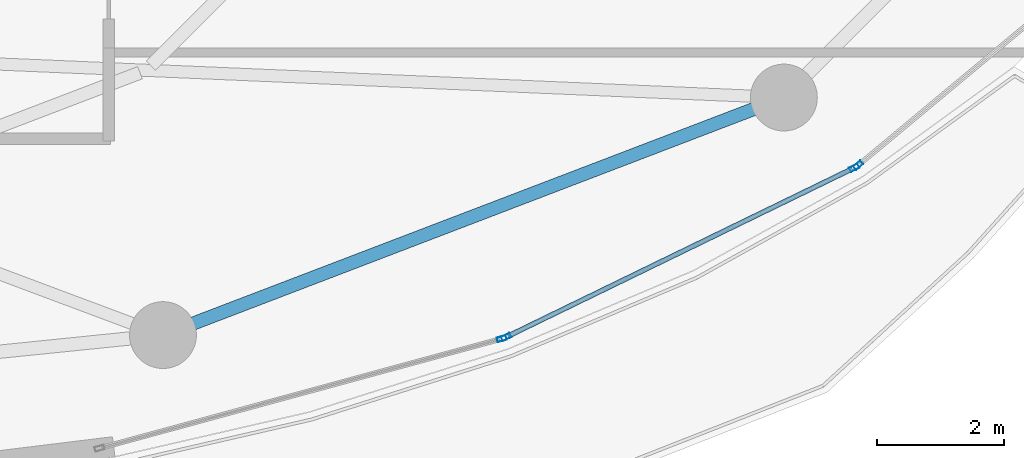
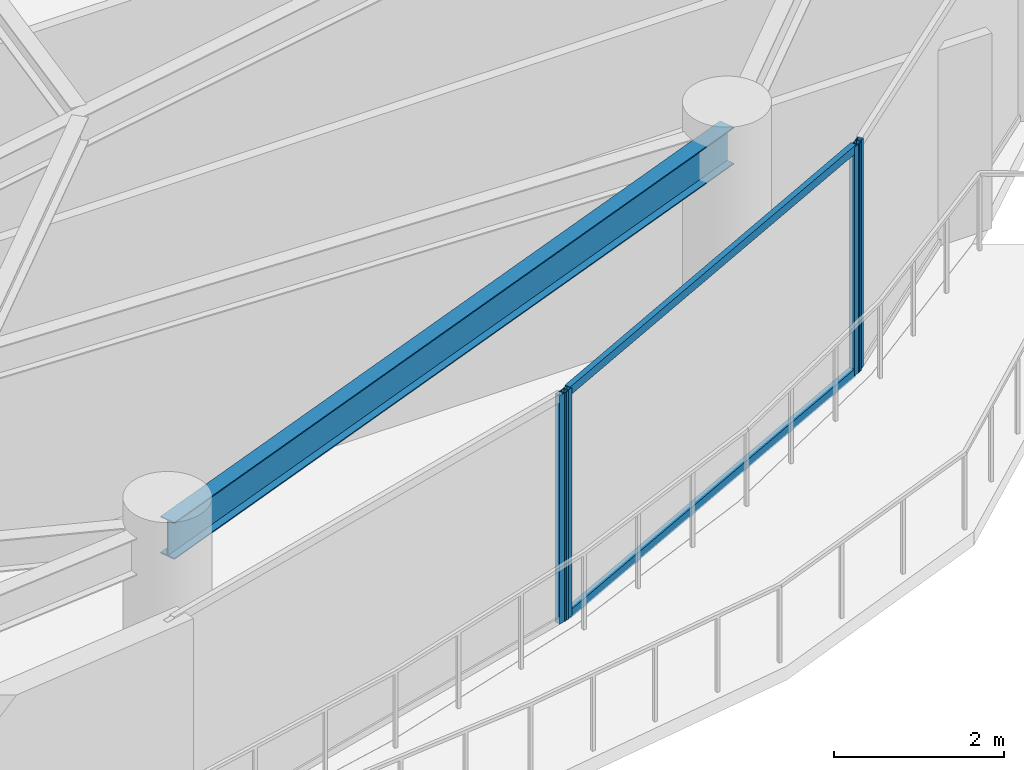
# One storey, part 13 of 31: 6 members, 1 beam, 3 elements without a shape of their own.
"""IFC4 building model written with IfcOpenShell, lengths in metres."""

from ifc_helpers import new_model, si_unit, direction, frame, origin, origin_2d, place, context, subcontext, project, spatial, hollow_rectangle, i_section, extrude, material, layer, layer_set, material_profile, profile_set, type_object, element, aggregate, save


model = new_model("IFC4")

# Units and contexts
model_context = context("Model", 3, precision=1e-05, world=origin(), true_north=direction((0.0, 1.0)))
body_context = subcontext(model_context, "Body", "Model", "MODEL_VIEW")
ifc_project = project(units=[si_unit("LENGTHUNIT", "METRE"), si_unit("AREAUNIT", "SQUARE_METRE"), si_unit("VOLUMEUNIT", "CUBIC_METRE"), si_unit("PLANEANGLEUNIT", "RADIAN"), si_unit("MASSUNIT", "GRAM", prefix="KILO")], contexts=[model_context])

# Site, building, storey
site_placement = place(None, origin())
site = spatial("IfcSite", under=ifc_project, at=site_placement, CompositionType="ELEMENT")
building_placement = place(site_placement, origin())
building = spatial("IfcBuilding", under=site, at=building_placement, Name="Kazevale Care Tower and Concert Hall", CompositionType="ELEMENT")
storey_placement = place(building_placement, frame((0.0, 0.0, 187.199951171875)))
storey = spatial("IfcBuildingStorey", under=building, at=storey_placement, Name="L49", CompositionType="ELEMENT", Elevation=187.199951171875)

# Curtain wall, member
ifc_material_1 = material(Name="Aluminium 6063-T6 and Low-E Glass", Category="aluminium")
ifc_layer = layer(ifc_material_1, 0.179931640625)
ifc_layer_set = layer_set([ifc_layer], Name="Aluminium 6063-T6 and Low-E Glass")
curtain_wall_type = type_object("IfcCurtainWallType", Name="Sheltered Concave Balcony Curtain Wall CW-5", PredefinedType="NOTDEFINED", material=ifc_layer_set)
curtain_wall_1_placement = place(storey_placement, origin())
curtain_wall_1 = element("IfcCurtainWall", 1, at=curtain_wall_1_placement, inside=storey, type_object=curtain_wall_type, Name="cw:L49:f02", PredefinedType="NOTDEFINED")
ifc_material_2 = material(Name="Aluminium 6063-T6", Category="aluminium")
ifc_material_profile_1 = material_profile(ifc_material_2, hollow_rectangle(XDim=0.074951171875, YDim=0.14990234375, WallThickness=0.00390625, at=origin_2d()), Name="ALU75x150x4")
ifc_profile_set_1 = profile_set([ifc_material_profile_1], Name="Aluminium 6063-T6")
member_type_1 = type_object("IfcMemberType", Name="CW-5 Mullion ALU75x150x4", PredefinedType="MULLION", material=ifc_profile_set_1)
member_1_placement = place(storey_placement, frame((67.417724609375, 21.5869140625, 0.0), z_axis=(0.0, 0.0, 1.0), x_axis=(0.639961217204, -0.768407210062, 0.0)))
member_1 = element("IfcMember", 2, at=member_1_placement, type_object=member_type_1, Name="CW-5 mullion 2", PredefinedType="MULLION", context=body_context, shape_type="SweptSolid", body=[
    extrude(hollow_rectangle(XDim=0.074951171875, YDim=0.14990234375, WallThickness=0.00390625, at=origin_2d()), origin(), (0.0, 0.0, 1.0), 3.280029296875),
])
aggregate(curtain_wall_1, [member_1])

# Curtain wall, members
curtain_wall_2_placement = place(storey_placement, origin())
curtain_wall_2 = element("IfcCurtainWall", 3, at=curtain_wall_2_placement, inside=storey, type_object=curtain_wall_type, Name="cw:L49:f03", PredefinedType="NOTDEFINED")
member_2_placement = place(storey_placement, frame((67.355224609375, 21.546630859375, 0.0), z_axis=(0.0, 0.0, 1.0), x_axis=(0.437238357087, -0.89934566163, 0.0)))
member_2 = element("IfcMember", 4, at=member_2_placement, type_object=member_type_1, Name="CW-5 mullion 1", PredefinedType="MULLION", context=body_context, shape_type="SweptSolid", body=[
    extrude(hollow_rectangle(XDim=0.074951171875, YDim=0.14990234375, WallThickness=0.00390625, at=origin_2d()), origin(), (0.0, 0.0, 1.0), 3.280029296875),
])
member_3_placement = place(storey_placement, frame((61.8896484375, 18.889404296875, 0.0), z_axis=(0.0, 0.0, 1.0), x_axis=(0.437238357087, -0.89934566163, 0.0)))
member_3 = element("IfcMember", 5, at=member_3_placement, type_object=member_type_1, Name="CW-5 mullion 2", PredefinedType="MULLION", context=body_context, shape_type="SweptSolid", body=[
    extrude(hollow_rectangle(XDim=0.074951171875, YDim=0.14990234375, WallThickness=0.00390625, at=origin_2d()), origin(), (0.0, 0.0, 1.0), 3.280029296875),
])

# Curtain wall, member
curtain_wall_3_placement = place(storey_placement, origin())
curtain_wall_3 = element("IfcCurtainWall", 6, at=curtain_wall_3_placement, inside=storey, type_object=curtain_wall_type, Name="cw:L49:f04", PredefinedType="NOTDEFINED")
member_4_placement = place(storey_placement, frame((61.81982421875, 18.863037109375, 0.0), z_axis=(0.0, 0.0, 1.0), x_axis=(0.262848968947, -0.964836991167, 0.0)))
member_4 = element("IfcMember", 7, at=member_4_placement, type_object=member_type_1, Name="CW-5 mullion 1", PredefinedType="MULLION", context=body_context, shape_type="SweptSolid", body=[
    extrude(hollow_rectangle(XDim=0.074951171875, YDim=0.14990234375, WallThickness=0.00390625, at=origin_2d()), origin(), (0.0, 0.0, 1.0), 3.280029296875),
])
aggregate(curtain_wall_3, [member_4])

# Member
ifc_material_profile_2 = material_profile(ifc_material_2, hollow_rectangle(XDim=0.074951171875, YDim=0.1201171875, WallThickness=0.00390625, at=origin_2d()), Name="ALU75x120x4")
ifc_profile_set_2 = profile_set([ifc_material_profile_2], Name="Aluminium 6063-T6")
member_type_2 = type_object("IfcMemberType", Name="CW-5 Transom ALU75x120x4", PredefinedType="USERDEFINED", material=ifc_profile_set_2)
member_5_placement = place(storey_placement, frame((67.321533203125, 21.5302734375, 0.03759765625), z_axis=(-0.899342308406, -0.437245254189, 0.0), x_axis=(0.437245254189, -0.899342308406, 0.0)))
member_5 = element("IfcMember", 8, at=member_5_placement, type_object=member_type_2, Name="CW-5 transom 1.1", ObjectType="TRANSOM", PredefinedType="USERDEFINED", context=body_context, shape_type="SweptSolid", body=[
    extrude(hollow_rectangle(XDim=0.074951171875, YDim=0.1201171875, WallThickness=0.00390625, at=origin_2d()), origin(), (0.0, 0.0, 1.0), 6.00244140625),
])

member_6_placement = place(storey_placement, frame((67.321533203125, 21.5302734375, 3.242431640625), z_axis=(-0.899342308406, -0.437245254189, 0.0), x_axis=(0.437245254189, -0.899342308406, 0.0)))
member_6 = element("IfcMember", 9, at=member_6_placement, type_object=member_type_2, Name="CW-5 transom 1.2", ObjectType="TRANSOM", PredefinedType="USERDEFINED", context=body_context, shape_type="SweptSolid", body=[
    extrude(hollow_rectangle(XDim=0.074951171875, YDim=0.1201171875, WallThickness=0.00390625, at=origin_2d()), origin(), (0.0, 0.0, 1.0), 6.00244140625),
])

aggregate(curtain_wall_2, [member_2, member_3, member_5, member_6])

# Beam
ifc_material_3 = material(Name="Steel ASTM A572 Gr 50", Category="steel")
ifc_material_profile_3 = material_profile(ifc_material_3, i_section(OverallWidth=0.208984375, OverallDepth=0.532958984375, WebThickness=0.01025390625, FlangeThickness=0.015625, at=origin_2d()), Name="W530x92")
ifc_profile_set_3 = profile_set([ifc_material_profile_3], Name="Steel ASTM A572 Gr 50")
beam_type = type_object("IfcBeamType", Name="Upper Ring Beam W530x92", PredefinedType="BEAM", material=ifc_profile_set_3)
beam_placement = place(storey_placement, frame((56.5, 18.919921875, 3.013427734375), z_axis=(0.933986653173, 0.357307894811, 0.0), x_axis=(-0.357307894811, 0.933986653173, 0.0)))
element("IfcBeam", 10, at=beam_placement, inside=storey, type_object=beam_type, Name="beam:L49:ring:14", PredefinedType="BEAM", context=body_context, shape_type="SweptSolid", body=[
    extrude(i_section(OverallWidth=0.208984375, OverallDepth=0.532958984375, WebThickness=0.01025390625, FlangeThickness=0.015625, at=origin_2d()), origin(), (0.0, 0.0, 1.0), 10.439208984375),
])

save(model, "model.ifc")
